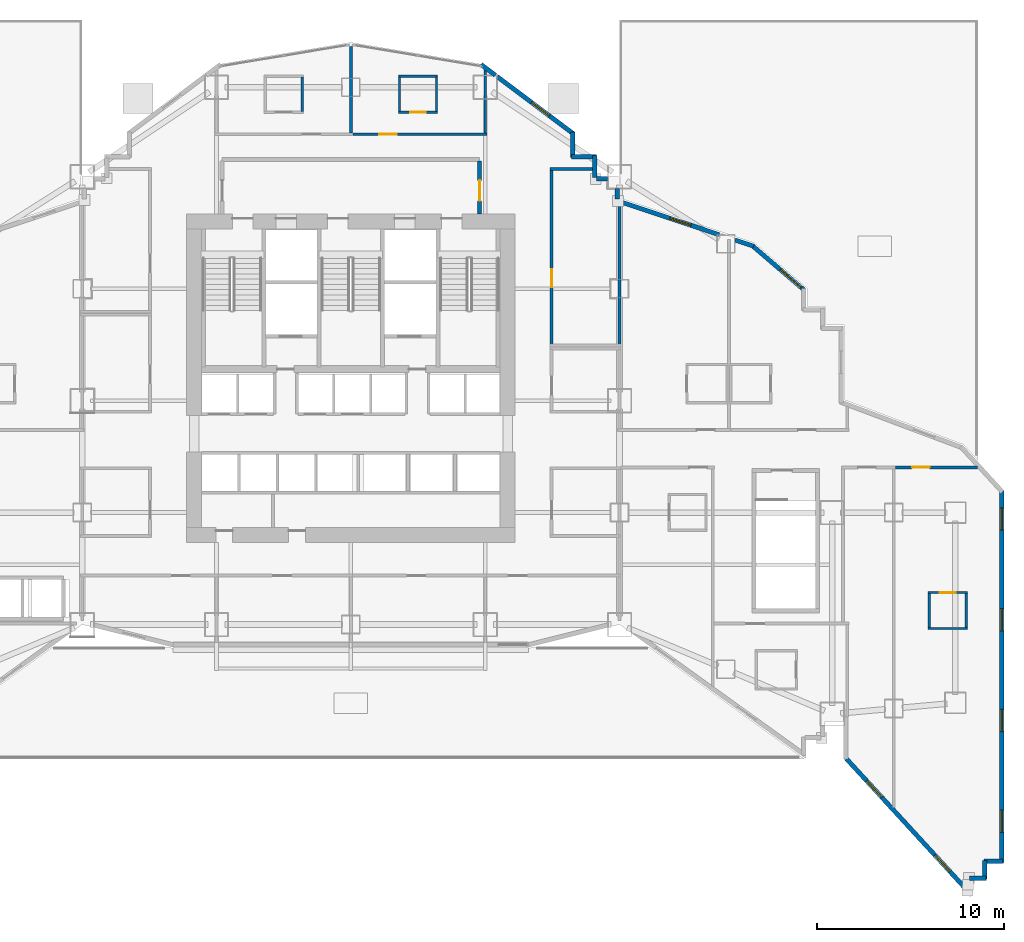
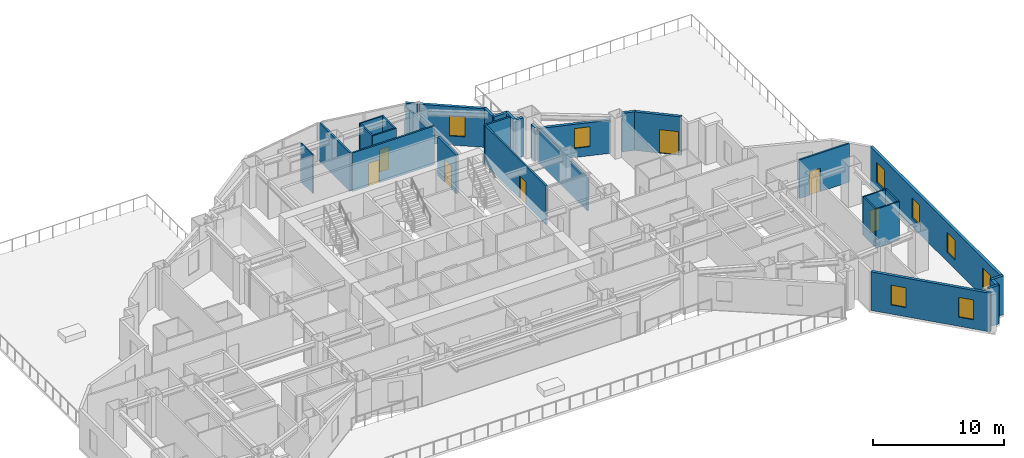
# One storey, part 12 of 20: 32 walls, 8 windows, 7 doors, 15 openings.
"""IFC4 building model written with IfcOpenShell, lengths in metres."""

from ifc_helpers import new_model, si_unit, direction, frame, frame_2d, origin, place, context, subcontext, project, spatial, rectangle, extrude, material, layer, layer_set, type_object, element, fill, save


model = new_model("IFC4")

# Units and contexts
model_context = context("Model", 3, precision=1e-05, world=origin(), true_north=direction((0.0, 1.0)))
body_context = subcontext(model_context, "Body", "Model", "MODEL_VIEW")
ifc_project = project(units=[si_unit("LENGTHUNIT", "METRE"), si_unit("AREAUNIT", "SQUARE_METRE"), si_unit("VOLUMEUNIT", "CUBIC_METRE"), si_unit("PLANEANGLEUNIT", "RADIAN"), si_unit("MASSUNIT", "GRAM", prefix="KILO")], contexts=[model_context])

# Site, building, storey
site_placement = place(None, origin())
site = spatial("IfcSite", under=ifc_project, at=site_placement, CompositionType="ELEMENT")
building_placement = place(site_placement, origin())
building = spatial("IfcBuilding", under=site, at=building_placement, Name="Haolan Belvedere Tower", CompositionType="ELEMENT")
storey_placement = place(building_placement, frame((0.0, 0.0, 24.0)))
storey = spatial("IfcBuildingStorey", under=building, at=storey_placement, Name="L05", CompositionType="ELEMENT", Elevation=24.0)

# Wall, openings, windows
ifc_material_1 = material(Name="Precast concrete C40/50", Category="concrete")
ifc_layer_1 = layer(ifc_material_1, 0.239990234375, Name="Precast concrete C40/50")
ifc_layer_set_1 = layer_set([ifc_layer_1], Name="Precast concrete C40/50")
wall_type_1 = type_object("IfcWallType", Name="WL-EXT-240", PredefinedType="SOLIDWALL", material=ifc_layer_set_1)
wall_1_placement = place(storey_placement, frame((64.9638671875, 14.398681640625, 0.0), z_axis=(0.0, 0.0, 1.0), x_axis=(0.676144639244, -0.736768910054, 0.0)))
wall_1 = element("IfcWall", 1, at=wall_1_placement, inside=storey, type_object=wall_type_1, Name="L05 pale-metal exterior spandrel wall 21.1", PredefinedType="SOLIDWALL", context=body_context, shape_type="SweptSolid", body=[
    extrude(rectangle(XDim=9.55224609375, YDim=0.239990234375, at=frame_2d((4.776123046875, 0.0))), origin(), (0.0, 0.0, 1.0), 3.60009765625),
])
opening_1_placement = place(wall_1_placement, frame((1.60009765625, 0.0, 0.85009765625)))
opening_1 = element("IfcOpeningElement", 2, at=opening_1_placement, cuts=wall_1, Name="Opening W-01", PredefinedType="OPENING", context=body_context, shape_type="SweptSolid", body=[
    extrude(rectangle(XDim=1.199951171875, YDim=1.85009765625, at=frame_2d((0.60009765625, 0.925048828125))), frame((0.0, 0.1298828125, 0.0), z_axis=(0.0, -1.0, 0.0), x_axis=(1.0, 0.0, 0.0)), (0.0, 0.0, 1.0), 0.260009765625),
])
opening_2_placement = place(wall_1_placement, frame((7.0, 0.0, 0.85009765625)))
opening_2 = element("IfcOpeningElement", 3, at=opening_2_placement, cuts=wall_1, Name="Opening W-01", PredefinedType="OPENING", context=body_context, shape_type="SweptSolid", body=[
    extrude(rectangle(XDim=1.199951171875, YDim=1.85009765625, at=frame_2d((0.60009765625, 0.925048828125))), frame((0.0, 0.1298828125, 0.0), z_axis=(0.0, -1.0, 0.0), x_axis=(1.0, 0.0, 0.0)), (0.0, 0.0, 1.0), 0.260009765625),
])
ifc_material_2 = material(Name="Anodised aluminium 6063-T6 and Low-E glass", Category="aluminium")
window_type = type_object("IfcWindowType", Name="WN-DECO-Z1", PartitioningType="SINGLE_PANEL", PredefinedType="WINDOW", material=ifc_material_2)
window_1_placement = place(opening_1_placement, origin())
window_1 = element("IfcWindow", 4, at=window_1_placement, inside=storey, type_object=window_type, Name="L05 Art Deco chevron window 1", OverallHeight=1.85009765625, OverallWidth=1.199951171875, PartitioningType="SINGLE_PANEL", PredefinedType="WINDOW", context=body_context, shape_type="SweptSolid", body=[
    extrude(rectangle(XDim=1.199951171875, YDim=1.85009765625, at=frame_2d((0.60009765625, 0.925048828125))), frame((0.0, 0.030029296875, 0.0), z_axis=(0.0, -1.0, 0.0), x_axis=(1.0, 0.0, 0.0)), (0.0, 0.0, 1.0), 0.06005859375),
])
fill(opening_1, window_1)
window_2_placement = place(opening_2_placement, origin())
window_2 = element("IfcWindow", 5, at=window_2_placement, inside=storey, type_object=window_type, Name="L05 Art Deco chevron window 2", OverallHeight=1.85009765625, OverallWidth=1.199951171875, PartitioningType="SINGLE_PANEL", PredefinedType="WINDOW", context=body_context, shape_type="SweptSolid", body=[
    extrude(rectangle(XDim=1.199951171875, YDim=1.85009765625, at=frame_2d((0.60009765625, 0.925048828125))), frame((0.0, 0.030029296875, 0.0), z_axis=(0.0, -1.0, 0.0), x_axis=(1.0, 0.0, 0.0)), (0.0, 0.0, 1.0), 0.06005859375),
])
fill(opening_2, window_2)

# Walls
wall_2_placement = place(storey_placement, frame((71.56494140625, 8.010009765625, 0.0), z_axis=(0.0, 0.0, 1.0), x_axis=(1.0, 0.0, 0.0)))
element("IfcWall", 6, at=wall_2_placement, inside=storey, type_object=wall_type_1, Name="L05 pale-metal exterior spandrel wall 23.1", PredefinedType="SOLIDWALL", context=body_context, shape_type="SweptSolid", body=[
    extrude(rectangle(XDim=0.8701171875, YDim=0.239990234375, at=frame_2d((0.43505859375, 0.0))), origin(), (0.0, 0.0, 1.0), 3.60009765625),
])
for number, where, z_axis, x_axis, name in (
    (7, (72.3798828125, 7.955078125, 0.0), (0.0, 0.0, 1.0), (0.0, 1.0, 0.0), "L05 pale-metal exterior spandrel wall 24.1"),
    (8, (72.324951171875, 8.909912109375, 0.0), (0.0, 0.0, 1.0), (1.0, 0.0, 0.0), "L05 pale-metal exterior spandrel wall 25.1"),
):
    element("IfcWall", number, at=place(storey_placement, frame(where, z_axis=z_axis, x_axis=x_axis)), inside=storey, type_object=wall_type_1, Name=name, PredefinedType="SOLIDWALL", context=body_context, shape_type="SweptSolid", body=[
        extrude(rectangle(XDim=1.010009765625, YDim=0.239990234375, at=frame_2d((0.5048828125, 0.0))), origin(), (0.0, 0.0, 1.0), 3.60009765625),
    ])

# Wall, openings, windows
wall_3_placement = place(storey_placement, frame((73.280029296875, 8.85498046875, 0.0), z_axis=(0.0, 0.0, 1.0), x_axis=(0.0, 1.0, 0.0)))
wall_3 = element("IfcWall", 9, at=wall_3_placement, inside=storey, type_object=wall_type_1, Name="L05 pale-metal exterior spandrel wall 26.1", PredefinedType="SOLIDWALL", context=body_context, shape_type="SweptSolid", body=[
    extrude(rectangle(XDim=19.953369140625, YDim=0.239990234375, at=frame_2d((9.9765625, 0.0))), origin(), (0.0, 0.0, 1.0), 3.60009765625),
])
opening_3_placement = place(wall_3_placement, frame((1.60009765625, 0.0, 0.85009765625)))
opening_3 = element("IfcOpeningElement", 10, at=opening_3_placement, cuts=wall_3, Name="Opening W-01", PredefinedType="OPENING", context=body_context, shape_type="SweptSolid", body=[
    extrude(rectangle(XDim=1.199951171875, YDim=1.85009765625, at=frame_2d((0.60009765625, 0.925048828125))), frame((0.0, 0.1298828125, 0.0), z_axis=(0.0, -1.0, 0.0), x_axis=(1.0, 0.0, 0.0)), (0.0, 0.0, 1.0), 0.260009765625),
])
opening_4_placement = place(wall_3_placement, frame((7.0, 0.0, 0.85009765625)))
opening_4 = element("IfcOpeningElement", 11, at=opening_4_placement, cuts=wall_3, Name="Opening W-01", PredefinedType="OPENING", context=body_context, shape_type="SweptSolid", body=[
    extrude(rectangle(XDim=1.199951171875, YDim=1.85009765625, at=frame_2d((0.60009765625, 0.925048828125))), frame((0.0, 0.1298828125, 0.0), z_axis=(0.0, -1.0, 0.0), x_axis=(1.0, 0.0, 0.0)), (0.0, 0.0, 1.0), 0.260009765625),
])
opening_5_placement = place(wall_3_placement, frame((12.39990234375, 0.0, 0.85009765625)))
opening_5 = element("IfcOpeningElement", 12, at=opening_5_placement, cuts=wall_3, Name="Opening W-01", PredefinedType="OPENING", context=body_context, shape_type="SweptSolid", body=[
    extrude(rectangle(XDim=1.199951171875, YDim=1.85009765625, at=frame_2d((0.60009765625, 0.925048828125))), frame((0.0, 0.1298828125, 0.0), z_axis=(0.0, -1.0, 0.0), x_axis=(1.0, 0.0, 0.0)), (0.0, 0.0, 1.0), 0.260009765625),
])
opening_6_placement = place(wall_3_placement, frame((17.800048828125, 0.0, 0.85009765625)))
opening_6 = element("IfcOpeningElement", 13, at=opening_6_placement, cuts=wall_3, Name="Opening W-01", PredefinedType="OPENING", context=body_context, shape_type="SweptSolid", body=[
    extrude(rectangle(XDim=1.199951171875, YDim=1.85009765625, at=frame_2d((0.60009765625, 0.925048828125))), frame((0.0, 0.1298828125, 0.0), z_axis=(0.0, -1.0, 0.0), x_axis=(1.0, 0.0, 0.0)), (0.0, 0.0, 1.0), 0.260009765625),
])
window_3_placement = place(opening_3_placement, origin())
window_3 = element("IfcWindow", 14, at=window_3_placement, inside=storey, type_object=window_type, Name="L05 Art Deco chevron window 1", OverallHeight=1.85009765625, OverallWidth=1.199951171875, PartitioningType="SINGLE_PANEL", PredefinedType="WINDOW", context=body_context, shape_type="SweptSolid", body=[
    extrude(rectangle(XDim=1.199951171875, YDim=1.85009765625, at=frame_2d((0.60009765625, 0.925048828125))), frame((0.0, 0.030029296875, 0.0), z_axis=(0.0, -1.0, 0.0), x_axis=(1.0, 0.0, 0.0)), (0.0, 0.0, 1.0), 0.06005859375),
])
fill(opening_3, window_3)
window_4_placement = place(opening_4_placement, origin())
window_4 = element("IfcWindow", 15, at=window_4_placement, inside=storey, type_object=window_type, Name="L05 Art Deco chevron window 2", OverallHeight=1.85009765625, OverallWidth=1.199951171875, PartitioningType="SINGLE_PANEL", PredefinedType="WINDOW", context=body_context, shape_type="SweptSolid", body=[
    extrude(rectangle(XDim=1.199951171875, YDim=1.85009765625, at=frame_2d((0.60009765625, 0.925048828125))), frame((0.0, 0.030029296875, 0.0), z_axis=(0.0, -1.0, 0.0), x_axis=(1.0, 0.0, 0.0)), (0.0, 0.0, 1.0), 0.06005859375),
])
fill(opening_4, window_4)
window_5_placement = place(opening_5_placement, origin())
window_5 = element("IfcWindow", 16, at=window_5_placement, inside=storey, type_object=window_type, Name="L05 Art Deco chevron window 3", OverallHeight=1.85009765625, OverallWidth=1.199951171875, PartitioningType="SINGLE_PANEL", PredefinedType="WINDOW", context=body_context, shape_type="SweptSolid", body=[
    extrude(rectangle(XDim=1.199951171875, YDim=1.85009765625, at=frame_2d((0.60009765625, 0.925048828125))), frame((0.0, 0.030029296875, 0.0), z_axis=(0.0, -1.0, 0.0), x_axis=(1.0, 0.0, 0.0)), (0.0, 0.0, 1.0), 0.06005859375),
])
fill(opening_5, window_5)
window_6_placement = place(opening_6_placement, origin())
window_6 = element("IfcWindow", 17, at=window_6_placement, inside=storey, type_object=window_type, Name="L05 Art Deco chevron window 4", OverallHeight=1.85009765625, OverallWidth=1.199951171875, PartitioningType="SINGLE_PANEL", PredefinedType="WINDOW", context=body_context, shape_type="SweptSolid", body=[
    extrude(rectangle(XDim=1.199951171875, YDim=1.85009765625, at=frame_2d((0.60009765625, 0.925048828125))), frame((0.0, 0.030029296875, 0.0), z_axis=(0.0, -1.0, 0.0), x_axis=(1.0, 0.0, 0.0)), (0.0, 0.0, 1.0), 0.06005859375),
])
fill(opening_6, window_6)

# Wall, opening, door
wall_4_placement = place(storey_placement, frame((62.7216796875, 39.509033203125, 0.0), z_axis=(0.0, 0.0, 1.0), x_axis=(-0.759247334792, 0.650802185469, 0.0)))
wall_4 = element("IfcWall", 18, at=wall_4_placement, inside=storey, type_object=wall_type_1, Name="L05 pale-metal exterior spandrel wall 34.1", PredefinedType="SOLIDWALL", context=body_context, shape_type="SweptSolid", body=[
    extrude(rectangle(XDim=3.71923828125, YDim=0.239990234375, at=frame_2d((1.859619140625, 0.0))), origin(), (0.0, 0.0, 1.0), 3.60009765625),
])
opening_7_placement = place(wall_4_placement, frame((1.719970703125, 0.0, 0.0), z_axis=(0.0, 0.0, 1.0), x_axis=(-1.0, 0.0, 0.0)))
opening_7 = element("IfcOpeningElement", 19, at=opening_7_placement, cuts=wall_4, Name="Opening TD-01", PredefinedType="OPENING", context=body_context, shape_type="SweptSolid", body=[
    extrude(rectangle(XDim=1.5, YDim=2.199951171875, at=frame_2d((0.75, 1.10009765625))), frame((0.0, 0.1298828125, 0.0), z_axis=(0.0, -1.0, 0.0), x_axis=(1.0, 0.0, 0.0)), (0.0, 0.0, 1.0), 0.260009765625),
])
ifc_material_3 = material(Name="Thermally broken pale-metal aluminium and Low-E glass", Category="aluminium")
door_type_1 = type_object("IfcDoorType", Name="DR-TER-1500", OperationType="DOUBLE_DOOR_SINGLE_SWING", PredefinedType="DOOR", material=ifc_material_3)
door_1_placement = place(opening_7_placement, origin())
door_1 = element("IfcDoor", 20, at=door_1_placement, inside=storey, type_object=door_type_1, Name="L05 garden terrace access door 3", OperationType="DOUBLE_DOOR_SINGLE_SWING", OverallHeight=2.199951171875, OverallWidth=1.5, PredefinedType="DOOR", context=body_context, shape_type="SweptSolid", body=[
    extrude(rectangle(XDim=1.5, YDim=2.199951171875, at=frame_2d((0.75, 1.10009765625))), frame((0.0, 0.02490234375, 0.0), z_axis=(0.0, -1.0, 0.0), x_axis=(1.0, 0.0, 0.0)), (0.0, 0.0, 1.0), 0.050048828125),
])
fill(opening_7, door_1)

# Wall
wall_5_placement = place(storey_placement, frame((59.991943359375, 41.876220703125, 0.0), z_axis=(0.0, 0.0, 1.0), x_axis=(-0.948706457285, 0.316158279832, 0.0)))
element("IfcWall", 21, at=wall_5_placement, inside=storey, type_object=wall_type_1, Name="L05 pale-metal exterior spandrel wall 35.1", PredefinedType="SOLIDWALL", context=body_context, shape_type="SweptSolid", body=[
    extrude(rectangle(XDim=1.053955078125, YDim=0.239990234375, at=frame_2d((0.52685546875, 0.0))), origin(), (0.0, 0.0, 1.0), 3.60009765625),
])

# Wall, opening, window
wall_6_placement = place(storey_placement, frame((58.14453125, 42.491943359375, 0.0), z_axis=(0.0, 0.0, 1.0), x_axis=(-0.948683298051, 0.316227766017, 0.0)))
wall_6 = element("IfcWall", 22, at=wall_6_placement, inside=storey, type_object=wall_type_1, Name="L05 pale-metal exterior spandrel wall 35.2", PredefinedType="SOLIDWALL", context=body_context, shape_type="SweptSolid", body=[
    extrude(rectangle(XDim=5.67529296875, YDim=0.239990234375, at=frame_2d((2.837646484375, 0.0))), origin(), (0.0, 0.0, 1.0), 3.096923828125),
])
opening_8_placement = place(wall_6_placement, frame((1.60009765625, 0.0, 0.85009765625)))
opening_8 = element("IfcOpeningElement", 23, at=opening_8_placement, cuts=wall_6, Name="Opening W-01", PredefinedType="OPENING", context=body_context, shape_type="SweptSolid", body=[
    extrude(rectangle(XDim=1.199951171875, YDim=1.85009765625, at=frame_2d((0.60009765625, 0.925048828125))), frame((0.0, 0.1298828125, 0.0), z_axis=(0.0, -1.0, 0.0), x_axis=(1.0, 0.0, 0.0)), (0.0, 0.0, 1.0), 0.260009765625),
])
window_7_placement = place(opening_8_placement, origin())
window_7 = element("IfcWindow", 24, at=window_7_placement, inside=storey, type_object=window_type, Name="L05 Art Deco chevron window 1", OverallHeight=1.85009765625, OverallWidth=1.199951171875, PartitioningType="SINGLE_PANEL", PredefinedType="WINDOW", context=body_context, shape_type="SweptSolid", body=[
    extrude(rectangle(XDim=1.199951171875, YDim=1.85009765625, at=frame_2d((0.60009765625, 0.925048828125))), frame((0.0, 0.030029296875, 0.0), z_axis=(0.0, -1.0, 0.0), x_axis=(1.0, 0.0, 0.0)), (0.0, 0.0, 1.0), 0.06005859375),
])
fill(opening_8, window_7)

# Walls
wall_7_placement = place(storey_placement, frame((52.679931640625, 44.3984375, 0.0), z_axis=(0.0, 0.0, 1.0), x_axis=(0.0, 1.0, 0.0)))
element("IfcWall", 25, at=wall_7_placement, inside=storey, type_object=wall_type_1, Name="L05 pale-metal exterior spandrel wall 36.1", PredefinedType="SOLIDWALL", context=body_context, shape_type="SweptSolid", body=[
    extrude(rectangle(XDim=0.5595703125, YDim=0.239990234375, at=frame_2d((0.27978515625, 0.0))), origin(), (0.0, 0.0, 1.0), 3.096923828125),
])
wall_8_placement = place(storey_placement, frame((52.157958984375, 45.47998046875, 0.0), z_axis=(0.0, 0.0, 1.0), x_axis=(-1.0, 0.0, 0.0)))
element("IfcWall", 26, at=wall_8_placement, inside=storey, type_object=wall_type_1, Name="L05 pale-metal exterior spandrel wall 37.1", PredefinedType="SOLIDWALL", context=body_context, shape_type="SweptSolid", body=[
    extrude(rectangle(XDim=0.593017578125, YDim=0.239990234375, at=frame_2d((0.29638671875, 0.0))), origin(), (0.0, 0.0, 1.0), 3.60009765625),
])
wall_9_placement = place(storey_placement, frame((51.47998046875, 45.56494140625, 0.0), z_axis=(0.0, 0.0, 1.0), x_axis=(0.0, 1.0, 0.0)))
element("IfcWall", 27, at=wall_9_placement, inside=storey, type_object=wall_type_1, Name="L05 pale-metal exterior spandrel wall 38.1", PredefinedType="SOLIDWALL", context=body_context, shape_type="SweptSolid", body=[
    extrude(rectangle(XDim=1.170166015625, YDim=0.239990234375, at=frame_2d((0.5849609375, 0.0))), origin(), (0.0, 0.0, 1.0), 3.60009765625),
])
wall_10_placement = place(storey_placement, frame((51.534912109375, 46.679931640625, 0.0), z_axis=(0.0, 0.0, 1.0), x_axis=(-1.0, 0.0, 0.0)))
element("IfcWall", 28, at=wall_10_placement, inside=storey, type_object=wall_type_1, Name="L05 pale-metal exterior spandrel wall 39.1", PredefinedType="SOLIDWALL", context=body_context, shape_type="SweptSolid", body=[
    extrude(rectangle(XDim=1.309814453125, YDim=0.239990234375, at=frame_2d((0.65478515625, 0.0))), origin(), (0.0, 0.0, 1.0), 3.60009765625),
])
wall_11_placement = place(storey_placement, frame((50.280029296875, 46.625, 0.0), z_axis=(0.0, 0.0, 1.0), x_axis=(0.0, 1.0, 0.0)))
element("IfcWall", 29, at=wall_11_placement, inside=storey, type_object=wall_type_1, Name="L05 pale-metal exterior spandrel wall 40.1", PredefinedType="SOLIDWALL", context=body_context, shape_type="SweptSolid", body=[
    extrude(rectangle(XDim=1.3701171875, YDim=0.239990234375, at=frame_2d((0.68505859375, 0.0))), origin(), (0.0, 0.0, 1.0), 3.60009765625),
])

# Wall, opening, window
wall_12_placement = place(storey_placement, frame((50.323974609375, 47.906982421875, 0.0), z_axis=(0.0, 0.0, 1.0), x_axis=(-0.8, 0.6, 0.0)))
wall_12 = element("IfcWall", 30, at=wall_12_placement, inside=storey, type_object=wall_type_1, Name="L05 pale-metal exterior spandrel wall 41.1", PredefinedType="SOLIDWALL", context=body_context, shape_type="SweptSolid", body=[
    extrude(rectangle(XDim=5.1025390625, YDim=0.239990234375, at=frame_2d((2.55126953125, 0.0))), origin(), (0.0, 0.0, 1.0), 3.60009765625),
])
opening_9_placement = place(wall_12_placement, frame((1.60009765625, 0.0, 0.85009765625)))
opening_9 = element("IfcOpeningElement", 31, at=opening_9_placement, cuts=wall_12, Name="Opening W-01", PredefinedType="OPENING", context=body_context, shape_type="SweptSolid", body=[
    extrude(rectangle(XDim=1.199951171875, YDim=1.85009765625, at=frame_2d((0.60009765625, 0.925048828125))), frame((0.0, 0.1298828125, 0.0), z_axis=(0.0, -1.0, 0.0), x_axis=(1.0, 0.0, 0.0)), (0.0, 0.0, 1.0), 0.260009765625),
])
window_8_placement = place(opening_9_placement, origin())
window_8 = element("IfcWindow", 32, at=window_8_placement, inside=storey, type_object=window_type, Name="L05 Art Deco chevron window 1", OverallHeight=1.85009765625, OverallWidth=1.199951171875, PartitioningType="SINGLE_PANEL", PredefinedType="WINDOW", context=body_context, shape_type="SweptSolid", body=[
    extrude(rectangle(XDim=1.199951171875, YDim=1.85009765625, at=frame_2d((0.60009765625, 0.925048828125))), frame((0.0, 0.030029296875, 0.0), z_axis=(0.0, -1.0, 0.0), x_axis=(1.0, 0.0, 0.0)), (0.0, 0.0, 1.0), 0.06005859375),
])
fill(opening_9, window_8)

# Wall
wall_13_placement = place(storey_placement, frame((46.143798828125, 51.0419921875, 0.0), z_axis=(0.0, 0.0, 1.0), x_axis=(-0.8, 0.6, 0.0)))
element("IfcWall", 33, at=wall_13_placement, inside=storey, type_object=wall_type_1, Name="L05 pale-metal exterior spandrel wall 41.2", PredefinedType="SOLIDWALL", context=body_context, shape_type="SweptSolid", body=[
    extrude(rectangle(XDim=0.965576171875, YDim=0.239990234375, at=frame_2d((0.48291015625, 0.0))), origin(), (0.0, 0.0, 1.0), 3.60009765625),
])

# Wall, opening, door
ifc_material_4 = material(Name="Concrete C40/50", Category="concrete")
ifc_layer_2 = layer(ifc_material_4, 0.199951171875, Name="Concrete C40/50")
ifc_layer_set_2 = layer_set([ifc_layer_2], Name="Concrete C40/50")
wall_type_2 = type_object("IfcWallType", Name="WL-FIRE-200", PredefinedType="SOLIDWALL", material=ifc_layer_set_2)
wall_14_placement = place(storey_placement, frame((45.300048828125, 43.60009765625, 0.0), z_axis=(0.0, 0.0, 1.0), x_axis=(0.0, 1.0, 0.0)))
wall_14 = element("IfcWall", 34, at=wall_14_placement, inside=storey, type_object=wall_type_2, Name="L05 interior partition IW-L05-FFL-E", PredefinedType="SOLIDWALL", context=body_context, shape_type="SweptSolid", body=[
    extrude(rectangle(XDim=2.8349609375, YDim=0.199951171875, at=frame_2d((1.41748046875, 0.0))), origin(), (0.0, 0.0, 1.0), 3.60009765625),
])
opening_10_placement = place(wall_14_placement, frame((0.699951171875, 0.0, 0.0)))
opening_10 = element("IfcOpeningElement", 35, at=opening_10_placement, cuts=wall_14, Name="Opening FD-03", PredefinedType="OPENING", context=body_context, shape_type="SweptSolid", body=[
    extrude(rectangle(XDim=1.10009765625, YDim=2.14990234375, at=frame_2d((0.550048828125, 1.074951171875))), frame((0.0, 0.10986328125, 0.0), z_axis=(0.0, -1.0, 0.0), x_axis=(1.0, 0.0, 0.0)), (0.0, 0.0, 1.0), 0.219970703125),
])
ifc_material_5 = material(Name="Galvanised fire-rated steel", Category="steel")
door_type_2 = type_object("IfcDoorType", Name="DR-FD90-1100", OperationType="NOTDEFINED", PredefinedType="DOOR", material=ifc_material_5)
door_2_placement = place(opening_10_placement, origin())
door_2 = element("IfcDoor", 36, at=door_2_placement, inside=storey, type_object=door_type_2, Name="L05 door ID-L05-FFL-DE", OperationType="SINGLE_SWING_RIGHT", OverallHeight=2.14990234375, OverallWidth=1.10009765625, PredefinedType="DOOR", context=body_context, shape_type="SweptSolid", body=[
    extrude(rectangle(XDim=1.10009765625, YDim=2.14990234375, at=frame_2d((0.550048828125, 1.074951171875))), frame((0.0, 0.02490234375, 0.0), z_axis=(0.0, -1.0, 0.0), x_axis=(1.0, 0.0, 0.0)), (0.0, 0.0, 1.0), 0.050048828125),
])
fill(opening_10, door_2)

# Wall
ifc_material_6 = material(Name="Double gypsum acoustic stud partition", Category="masonry")
ifc_layer_3 = layer(ifc_material_6, 0.14990234375, Name="Double gypsum acoustic stud partition")
ifc_layer_set_3 = layer_set([ifc_layer_3], Name="Double gypsum acoustic stud partition")
wall_type_3 = type_object("IfcWallType", Name="WL-PART-150", PredefinedType="PARTITIONING", material=ifc_layer_set_3)
wall_15_placement = place(storey_placement, frame((49.080078125, 46.02001953125, 0.0), z_axis=(0.0, 0.0, 1.0), x_axis=(1.0, 0.0, 0.0)))
element("IfcWall", 37, at=wall_15_placement, inside=storey, type_object=wall_type_3, Name="L05 interior partition IW-L05-SAL-N", PredefinedType="PARTITIONING", context=body_context, shape_type="SweptSolid", body=[
    extrude(rectangle(XDim=2.294921875, YDim=0.14990234375, at=frame_2d((1.1474609375, 0.0))), origin(), (0.0, 0.0, 1.0), 3.60009765625),
])

# Wall, opening, door
wall_16_placement = place(storey_placement, frame((49.159912109375, 36.6201171875, 0.0), z_axis=(0.0, 0.0, 1.0), x_axis=(0.0, 1.0, 0.0)))
wall_16 = element("IfcWall", 38, at=wall_16_placement, inside=storey, type_object=wall_type_3, Name="L05 interior partition IW-L05-SAL-W", PredefinedType="PARTITIONING", context=body_context, shape_type="SweptSolid", body=[
    extrude(rectangle(XDim=9.33984375, YDim=0.14990234375, at=frame_2d((4.669921875, 0.0))), origin(), (0.0, 0.0, 1.0), 3.60009765625),
])
opening_11_placement = place(wall_16_placement, frame((3.06005859375, 0.0, 0.0)))
opening_11 = element("IfcOpeningElement", 39, at=opening_11_placement, cuts=wall_16, Name="Opening ID-03", PredefinedType="OPENING", context=body_context, shape_type="SweptSolid", body=[
    extrude(rectangle(XDim=0.949951171875, YDim=2.1201171875, at=frame_2d((0.47509765625, 1.06005859375))), frame((0.0, 0.0849609375, 0.0), z_axis=(0.0, -1.0, 0.0), x_axis=(1.0, 0.0, 0.0)), (0.0, 0.0, 1.0), 0.169921875),
])
ifc_material_7 = material(Name="Painted solid-core timber", Category="wood")
door_type_3 = type_object("IfcDoorType", Name="DR-INT-950", OperationType="NOTDEFINED", PredefinedType="DOOR", material=ifc_material_7)
door_3_placement = place(opening_11_placement, origin())
door_3 = element("IfcDoor", 40, at=door_3_placement, inside=storey, type_object=door_type_3, Name="L05 door ID-L05-SAL", OperationType="SINGLE_SWING_LEFT", OverallHeight=2.1201171875, OverallWidth=0.949951171875, PredefinedType="DOOR", context=body_context, shape_type="SweptSolid", body=[
    extrude(rectangle(XDim=0.949951171875, YDim=2.1201171875, at=frame_2d((0.47509765625, 1.06005859375))), frame((0.0, 0.02490234375, 0.0), z_axis=(0.0, -1.0, 0.0), x_axis=(1.0, 0.0, 0.0)), (0.0, 0.0, 1.0), 0.050048828125),
])
fill(opening_11, door_3)

# Walls
wall_17_placement = place(storey_placement, frame((52.800048828125, 36.6201171875, 0.0), z_axis=(0.0, 0.0, 1.0), x_axis=(0.0, 1.0, 0.0)))
element("IfcWall", 41, at=wall_17_placement, inside=storey, type_object=wall_type_3, Name="L05 interior partition IW-L05-SAL-E", PredefinedType="PARTITIONING", context=body_context, shape_type="SweptSolid", body=[
    extrude(rectangle(XDim=7.542724609375, YDim=0.14990234375, at=frame_2d((3.771484375, 0.0))), origin(), (0.0, 0.0, 1.0), 3.096923828125),
])
wall_18_placement = place(storey_placement, frame((38.39990234375, 47.93994140625, 0.0), z_axis=(0.0, 0.0, 1.0), x_axis=(0.0, 1.0, 0.0)))
element("IfcWall", 42, at=wall_18_placement, inside=storey, type_object=wall_type_3, Name="L05 interior partition IW-L05-KN2-E", PredefinedType="PARTITIONING", context=body_context, shape_type="SweptSolid", body=[
    extrude(rectangle(XDim=4.645263671875, YDim=0.14990234375, at=frame_2d((2.32275390625, 0.0))), origin(), (0.0, 0.0, 1.0), 3.60009765625),
])

# Wall, opening, door
wall_19_placement = place(storey_placement, frame((38.501953125, 47.8798828125, 0.0), z_axis=(0.0, 0.0, 1.0), x_axis=(1.0, 0.0, 0.0)))
wall_19 = element("IfcWall", 43, at=wall_19_placement, inside=storey, type_object=wall_type_3, Name="L05 interior partition IW-L05-KN3-S", PredefinedType="PARTITIONING", context=body_context, shape_type="SweptSolid", body=[
    extrude(rectangle(XDim=7.197998046875, YDim=0.14990234375, at=frame_2d((3.59912109375, 0.0))), origin(), (0.0, 0.0, 1.0), 3.60009765625),
])
opening_12_placement = place(wall_19_placement, frame((1.41748046875, 0.0, 0.0)))
opening_12 = element("IfcOpeningElement", 44, at=opening_12_placement, cuts=wall_19, Name="Opening ID-02", PredefinedType="OPENING", context=body_context, shape_type="SweptSolid", body=[
    extrude(rectangle(XDim=0.949951171875, YDim=2.14990234375, at=frame_2d((0.47509765625, 1.074951171875))), frame((0.0, 0.0849609375, 0.0), z_axis=(0.0, -1.0, 0.0), x_axis=(1.0, 0.0, 0.0)), (0.0, 0.0, 1.0), 0.169921875),
])
ifc_material_8 = material(Name="Acoustic oak veneer fire-rated timber", Category="wood")
door_type_4 = type_object("IfcDoorType", Name="DR-GUEST-950", OperationType="NOTDEFINED", PredefinedType="DOOR", material=ifc_material_8)
door_4_placement = place(opening_12_placement, origin())
door_4 = element("IfcDoor", 45, at=door_4_placement, inside=storey, type_object=door_type_4, Name="L05 door ID-L05-KN3-ENT", OperationType="SINGLE_SWING_LEFT", OverallHeight=2.14990234375, OverallWidth=0.949951171875, PredefinedType="DOOR", context=body_context, shape_type="SweptSolid", body=[
    extrude(rectangle(XDim=0.949951171875, YDim=2.14990234375, at=frame_2d((0.47509765625, 1.074951171875))), frame((0.0, 0.02490234375, 0.0), z_axis=(0.0, -1.0, 0.0), x_axis=(1.0, 0.0, 0.0)), (0.0, 0.0, 1.0), 0.050048828125),
])
fill(opening_12, door_4)

# Wall
wall_20_placement = place(storey_placement, frame((45.60009765625, 47.93994140625, 0.0), z_axis=(0.0, 0.0, 1.0), x_axis=(0.0, 1.0, 0.0)))
element("IfcWall", 46, at=wall_20_placement, inside=storey, type_object=wall_type_3, Name="L05 interior partition IW-L05-KN3-E", PredefinedType="PARTITIONING", context=body_context, shape_type="SweptSolid", body=[
    extrude(rectangle(XDim=3.378662109375, YDim=0.14990234375, at=frame_2d((1.689453125, 0.0))), origin(), (0.0, 0.0, 1.0), 2.985107421875),
])

# Wall, opening, door
wall_21_placement = place(storey_placement, frame((67.58203125, 30.02001953125, 0.0), z_axis=(0.0, 0.0, 1.0), x_axis=(1.0, 0.0, 0.0)))
wall_21 = element("IfcWall", 47, at=wall_21_placement, inside=storey, type_object=wall_type_3, Name="L05 interior partition IW-L05-T5S2-N", PredefinedType="PARTITIONING", context=body_context, shape_type="SweptSolid", body=[
    extrude(rectangle(XDim=4.394287109375, YDim=0.14990234375, at=frame_2d((2.197265625, 0.0))), origin(), (0.0, 0.0, 1.0), 3.60009765625),
])
opening_13_placement = place(wall_21_placement, frame((1.84423828125, 0.0, 0.0), z_axis=(0.0, 0.0, 1.0), x_axis=(-1.0, 0.0, 0.0)))
opening_13 = element("IfcOpeningElement", 48, at=opening_13_placement, cuts=wall_21, Name="Opening ID-01", PredefinedType="OPENING", context=body_context, shape_type="SweptSolid", body=[
    extrude(rectangle(XDim=0.949951171875, YDim=2.179931640625, at=frame_2d((0.47509765625, 1.08984375))), frame((0.0, 0.0849609375, 0.0), z_axis=(0.0, -1.0, 0.0), x_axis=(1.0, 0.0, 0.0)), (0.0, 0.0, 1.0), 0.169921875),
])
ifc_material_9 = material(Name="Acoustic walnut veneer fire-rated timber", Category="wood")
door_type_5 = type_object("IfcDoorType", Name="DR-SUITE-950", OperationType="NOTDEFINED", PredefinedType="DOOR", material=ifc_material_9)
door_5_placement = place(opening_13_placement, origin())
door_5 = element("IfcDoor", 49, at=door_5_placement, inside=storey, type_object=door_type_5, Name="L05 door ID-L05-T5S2-ENT", OperationType="SINGLE_SWING_LEFT", OverallHeight=2.179931640625, OverallWidth=0.949951171875, PredefinedType="DOOR", context=body_context, shape_type="SweptSolid", body=[
    extrude(rectangle(XDim=0.949951171875, YDim=2.179931640625, at=frame_2d((0.47509765625, 1.08984375))), frame((0.0, 0.02490234375, 0.0), z_axis=(0.0, -1.0, 0.0), x_axis=(1.0, 0.0, 0.0)), (0.0, 0.0, 1.0), 0.050048828125),
])
fill(opening_13, door_5)

# Walls
ifc_material_10 = material(Name="Moisture-resistant gypsum tile partition", Category="masonry")
ifc_layer_4 = layer(ifc_material_10, 0.1201171875, Name="Moisture-resistant gypsum tile partition")
ifc_layer_set_4 = layer_set([ifc_layer_4], Name="Moisture-resistant gypsum tile partition")
wall_type_4 = type_object("IfcWallType", Name="WL-WET-120", PredefinedType="PARTITIONING", material=ifc_layer_set_4)
wall_22_placement = place(storey_placement, frame((35.7900390625, 49.10498046875, 0.0), z_axis=(0.0, 0.0, 1.0), x_axis=(0.0, 1.0, 0.0)))
element("IfcWall", 50, at=wall_22_placement, inside=storey, type_object=wall_type_4, Name="L05 interior partition IW-L05-KN2-BE", PredefinedType="PARTITIONING", context=body_context, shape_type="SweptSolid", body=[
    extrude(rectangle(XDim=1.830078125, YDim=0.1201171875, at=frame_2d((0.9150390625, 0.0))), origin(), (0.0, 0.0, 1.0), 3.60009765625),
])
wall_23_placement = place(storey_placement, frame((40.949951171875, 50.97998046875, 0.0), z_axis=(0.0, 0.0, 1.0), x_axis=(1.0, 0.0, 0.0)))
element("IfcWall", 51, at=wall_23_placement, inside=storey, type_object=wall_type_4, Name="L05 interior partition IW-L05-KN3-BN", PredefinedType="PARTITIONING", context=body_context, shape_type="SweptSolid", body=[
    extrude(rectangle(XDim=2.10009765625, YDim=0.1201171875, at=frame_2d((1.050048828125, 0.0))), origin(), (0.0, 0.0, 1.0), 3.60009765625),
])

# Wall, opening, door
wall_24_placement = place(storey_placement, frame((40.949951171875, 49.06005859375, 0.0), z_axis=(0.0, 0.0, 1.0), x_axis=(1.0, 0.0, 0.0)))
wall_24 = element("IfcWall", 52, at=wall_24_placement, inside=storey, type_object=wall_type_4, Name="L05 interior partition IW-L05-KN3-BS", PredefinedType="PARTITIONING", context=body_context, shape_type="SweptSolid", body=[
    extrude(rectangle(XDim=2.10009765625, YDim=0.1201171875, at=frame_2d((1.050048828125, 0.0))), origin(), (0.0, 0.0, 1.0), 3.60009765625),
])
opening_14_placement = place(wall_24_placement, frame((0.625, 0.0, 0.0)))
opening_14 = element("IfcOpeningElement", 53, at=opening_14_placement, cuts=wall_24, Name="Opening ID-05", PredefinedType="OPENING", context=body_context, shape_type="SweptSolid", body=[
    extrude(rectangle(XDim=0.85009765625, YDim=2.10009765625, at=frame_2d((0.425048828125, 1.050048828125))), frame((0.0, 0.070068359375, 0.0), z_axis=(0.0, -1.0, 0.0), x_axis=(1.0, 0.0, 0.0)), (0.0, 0.0, 1.0), 0.14013671875),
])
ifc_material_11 = material(Name="Moisture-resistant lacquered timber", Category="wood")
door_type_6 = type_object("IfcDoorType", Name="DR-BATH-850", OperationType="NOTDEFINED", PredefinedType="DOOR", material=ifc_material_11)
door_6_placement = place(opening_14_placement, origin())
door_6 = element("IfcDoor", 54, at=door_6_placement, inside=storey, type_object=door_type_6, Name="L05 door ID-L05-KN3-BATH", OperationType="SINGLE_SWING_RIGHT", OverallHeight=2.10009765625, OverallWidth=0.85009765625, PredefinedType="DOOR", context=body_context, shape_type="SweptSolid", body=[
    extrude(rectangle(XDim=0.85009765625, YDim=2.10009765625, at=frame_2d((0.425048828125, 1.050048828125))), frame((0.0, 0.02490234375, 0.0), z_axis=(0.0, -1.0, 0.0), x_axis=(1.0, 0.0, 0.0)), (0.0, 0.0, 1.0), 0.050048828125),
])
fill(opening_14, door_6)

# Walls
for number, where, z_axis, x_axis, name in (
    (55, (41.010009765625, 49.10498046875, 0.0), (0.0, 0.0, 1.0), (0.0, 1.0, 0.0), "L05 interior partition IW-L05-KN3-BW"),
    (56, (42.989990234375, 49.10498046875, 0.0), (0.0, 0.0, 1.0), (0.0, 1.0, 0.0), "L05 interior partition IW-L05-KN3-BE"),
):
    element("IfcWall", number, at=place(storey_placement, frame(where, z_axis=z_axis, x_axis=x_axis)), inside=storey, type_object=wall_type_4, Name=name, PredefinedType="PARTITIONING", context=body_context, shape_type="SweptSolid", body=[
        extrude(rectangle(XDim=1.830078125, YDim=0.1201171875, at=frame_2d((0.9150390625, 0.0))), origin(), (0.0, 0.0, 1.0), 3.60009765625),
    ])

# Wall, opening, door
wall_25_placement = place(storey_placement, frame((69.343017578125, 23.31005859375, 0.0), z_axis=(0.0, 0.0, 1.0), x_axis=(1.0, 0.0, 0.0)))
wall_25 = element("IfcWall", 57, at=wall_25_placement, inside=storey, type_object=wall_type_4, Name="L05 interior partition IW-L05-T5S2-BN", PredefinedType="PARTITIONING", context=body_context, shape_type="SweptSolid", body=[
    extrude(rectangle(XDim=2.10009765625, YDim=0.1201171875, at=frame_2d((1.050048828125, 0.0))), origin(), (0.0, 0.0, 1.0), 3.60009765625),
])
opening_15_placement = place(wall_25_placement, frame((1.47509765625, 0.0, 0.0), z_axis=(0.0, 0.0, 1.0), x_axis=(-1.0, 0.0, 0.0)))
opening_15 = element("IfcOpeningElement", 58, at=opening_15_placement, cuts=wall_25, Name="Opening ID-05", PredefinedType="OPENING", context=body_context, shape_type="SweptSolid", body=[
    extrude(rectangle(XDim=0.85009765625, YDim=2.10009765625, at=frame_2d((0.425048828125, 1.050048828125))), frame((0.0, 0.070068359375, 0.0), z_axis=(0.0, -1.0, 0.0), x_axis=(1.0, 0.0, 0.0)), (0.0, 0.0, 1.0), 0.14013671875),
])
door_7_placement = place(opening_15_placement, origin())
door_7 = element("IfcDoor", 59, at=door_7_placement, inside=storey, type_object=door_type_6, Name="L05 door ID-L05-T5S2-BATH", OperationType="SINGLE_SWING_RIGHT", OverallHeight=2.10009765625, OverallWidth=0.85009765625, PredefinedType="DOOR", context=body_context, shape_type="SweptSolid", body=[
    extrude(rectangle(XDim=0.85009765625, YDim=2.10009765625, at=frame_2d((0.425048828125, 1.050048828125))), frame((0.0, 0.02490234375, 0.0), z_axis=(0.0, -1.0, 0.0), x_axis=(1.0, 0.0, 0.0)), (0.0, 0.0, 1.0), 0.050048828125),
])
fill(opening_15, door_7)

# Walls
wall_26_placement = place(storey_placement, frame((69.343017578125, 21.389892578125, 0.0), z_axis=(0.0, 0.0, 1.0), x_axis=(1.0, 0.0, 0.0)))
element("IfcWall", 60, at=wall_26_placement, inside=storey, type_object=wall_type_4, Name="L05 interior partition IW-L05-T5S2-BS", PredefinedType="PARTITIONING", context=body_context, shape_type="SweptSolid", body=[
    extrude(rectangle(XDim=2.10009765625, YDim=0.1201171875, at=frame_2d((1.050048828125, 0.0))), origin(), (0.0, 0.0, 1.0), 3.60009765625),
])
for number, where, z_axis, x_axis, name in (
    (61, (69.403076171875, 21.43505859375, 0.0), (0.0, 0.0, 1.0), (0.0, 1.0, 0.0), "L05 interior partition IW-L05-T5S2-BW"),
    (62, (71.383056640625, 21.43505859375, 0.0), (0.0, 0.0, 1.0), (0.0, 1.0, 0.0), "L05 interior partition IW-L05-T5S2-BE"),
):
    element("IfcWall", number, at=place(storey_placement, frame(where, z_axis=z_axis, x_axis=x_axis)), inside=storey, type_object=wall_type_4, Name=name, PredefinedType="PARTITIONING", context=body_context, shape_type="SweptSolid", body=[
        extrude(rectangle(XDim=1.829833984375, YDim=0.1201171875, at=frame_2d((0.9150390625, 0.0))), origin(), (0.0, 0.0, 1.0), 3.60009765625),
    ])

save(model, "model.ifc")
